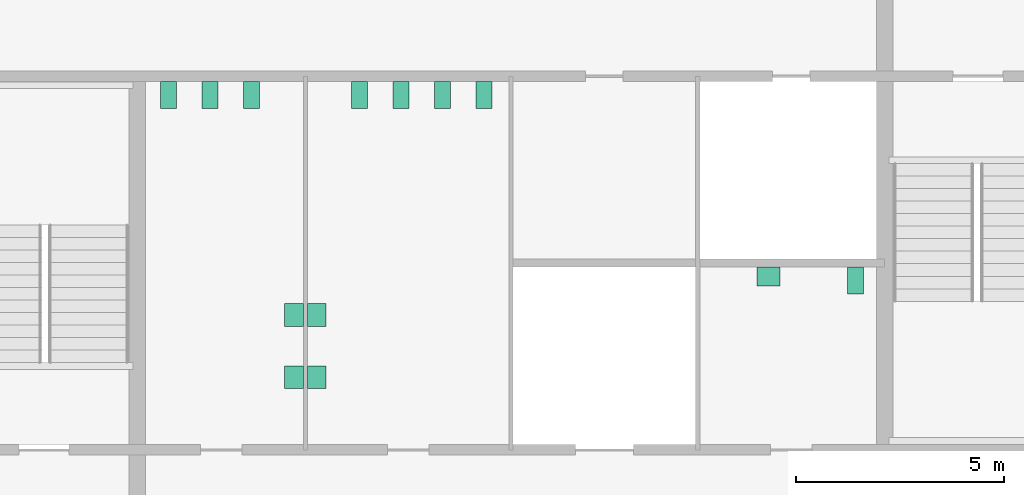
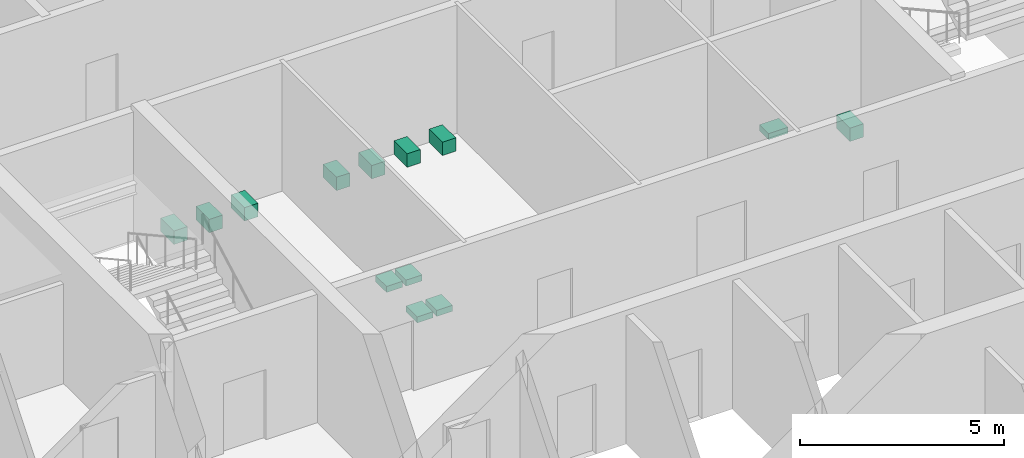
# One storey, part 13 of 13: 13 sanitary terminals.
"""IFC4 building model written with IfcOpenShell, lengths in metres."""

from ifc_helpers import new_model, si_unit, direction, frame, origin, origin_2d, place, context, subcontext, project, spatial, rectangle, extrude, material, type_object, element, save


model = new_model("IFC4")

# Units and contexts
model_context = context("Model", 3, precision=1e-05, world=origin(), true_north=direction((0.0, 1.0)))
body_context = subcontext(model_context, "Body", "Model", "MODEL_VIEW")
ifc_project = project(units=[si_unit("LENGTHUNIT", "METRE"), si_unit("AREAUNIT", "SQUARE_METRE"), si_unit("VOLUMEUNIT", "CUBIC_METRE"), si_unit("PLANEANGLEUNIT", "RADIAN"), si_unit("MASSUNIT", "GRAM", prefix="KILO")], contexts=[model_context])

# Site, building, storey
site_placement = place(None, origin())
site = spatial("IfcSite", under=ifc_project, at=site_placement, CompositionType="ELEMENT")
building_placement = place(site_placement, origin())
building = spatial("IfcBuilding", under=site, at=building_placement, Name="Corais Broadcast Tower", CompositionType="ELEMENT")
storey_placement = place(building_placement, frame((0.0, 0.0, 123.60009765625)))
storey = spatial("IfcBuildingStorey", under=building, at=storey_placement, Name="L27", CompositionType="ELEMENT", Elevation=123.60009765625)

# Sanitary terminals
ifc_material_1 = material(Name="Vitreous china", Category="ceramic")
sanitary_terminal_type_1 = type_object("IfcSanitaryTerminalType", Name="WC pan 380x650", PredefinedType="TOILETPAN", material=ifc_material_1)
for number, where, z_axis, x_axis, name in (
    (1, (18.75, 31.050048828125, 0.0), (0.0, 0.0, 1.0), (1.0, 0.0, 0.0), "SW1 WC pan, male toilets L27"),
    (2, (19.75, 31.050048828125, 0.0), (0.0, 0.0, 1.0), (1.0, 0.0, 0.0), "SW1 WC pan, male toilets L27"),
    (3, (20.75, 31.050048828125, 0.0), (0.0, 0.0, 1.0), (1.0, 0.0, 0.0), "SW1 WC pan, male toilets L27"),
    (4, (23.35009765625, 31.050048828125, 0.0), (0.0, 0.0, 1.0), (1.0, 0.0, 0.0), "SW1 WC pan, female toilets L27"),
    (5, (24.35009765625, 31.050048828125, 0.0), (0.0, 0.0, 1.0), (1.0, 0.0, 0.0), "SW1 WC pan, female toilets L27"),
    (6, (25.35009765625, 31.050048828125, 0.0), (0.0, 0.0, 1.0), (1.0, 0.0, 0.0), "SW1 WC pan, female toilets L27"),
    (7, (26.35009765625, 31.050048828125, 0.0), (0.0, 0.0, 1.0), (1.0, 0.0, 0.0), "SW1 WC pan, female toilets L27"),
    (8, (35.300048828125, 26.574951171875, 0.0), (0.0, 0.0, 1.0), (1.0, 0.0, 0.0), "SW1 WC pan, accessible WC L27"),
):
    element("IfcSanitaryTerminal", number, at=place(storey_placement, frame(where, z_axis=z_axis, x_axis=x_axis)), inside=storey, type_object=sanitary_terminal_type_1, Name=name, PredefinedType="TOILETPAN", context=body_context, shape_type="SweptSolid", body=[
        extrude(rectangle(XDim=0.3798828125, YDim=0.64990234375, at=origin_2d()), origin(), (0.0, 0.0, 1.0), 0.39990234375),
    ])
ifc_material_2 = material(Name="Vitreous china", Category="ceramic")
sanitary_terminal_type_2 = type_object("IfcSanitaryTerminalType", Name="Wash basin 550x450", PredefinedType="WASHHANDBASIN", material=ifc_material_2)
for number, where, z_axis, x_axis, name in (
    (9, (21.77490234375, 24.25, 0.69970703125), (0.0, 0.0, 1.0), (1.0, 0.0, 0.0), "WB1 wash basin, male toilets L27"),
    (10, (21.77490234375, 25.75, 0.69970703125), (0.0, 0.0, 1.0), (1.0, 0.0, 0.0), "WB1 wash basin, male toilets L27"),
    (11, (22.324951171875, 24.25, 0.69970703125), (0.0, 0.0, 1.0), (1.0, 0.0, 0.0), "WB1 wash basin, female toilets L27"),
    (12, (22.324951171875, 25.75, 0.69970703125), (0.0, 0.0, 1.0), (1.0, 0.0, 0.0), "WB1 wash basin, female toilets L27"),
):
    element("IfcSanitaryTerminal", number, at=place(storey_placement, frame(where, z_axis=z_axis, x_axis=x_axis)), inside=storey, type_object=sanitary_terminal_type_2, Name=name, PredefinedType="WASHHANDBASIN", context=body_context, shape_type="SweptSolid", body=[
        extrude(rectangle(XDim=0.449951171875, YDim=0.550048828125, at=origin_2d()), origin(), (0.0, 0.0, 1.0), 0.179931640625),
    ])
sanitary_terminal_placement = place(storey_placement, frame((33.199951171875, 26.675048828125, 0.69970703125), z_axis=(0.0, 0.0, 1.0), x_axis=(1.0, 0.0, 0.0)))
element("IfcSanitaryTerminal", 13, at=sanitary_terminal_placement, inside=storey, type_object=sanitary_terminal_type_2, Name="WB1 wash basin, accessible WC L27", PredefinedType="WASHHANDBASIN", context=body_context, shape_type="SweptSolid", body=[
    extrude(rectangle(XDim=0.550048828125, YDim=0.449951171875, at=origin_2d()), origin(), (0.0, 0.0, 1.0), 0.179931640625),
])

save(model, "model.ifc")
